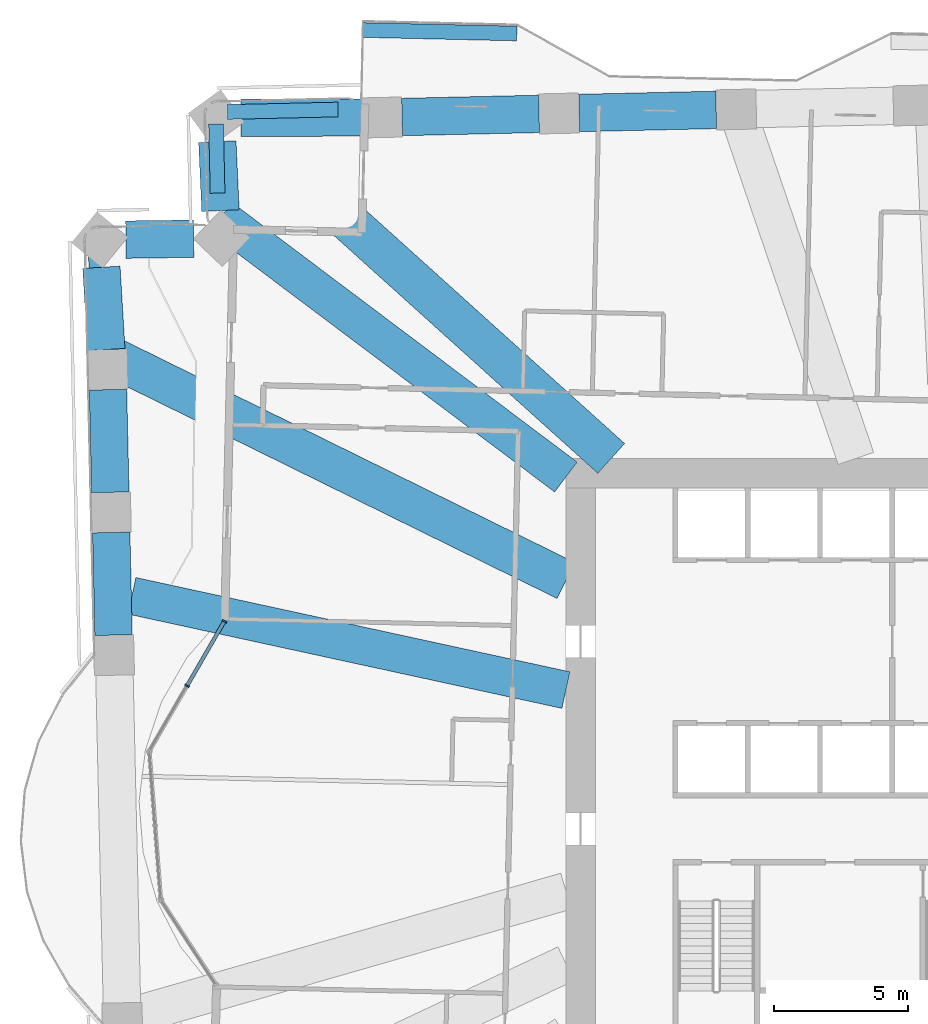
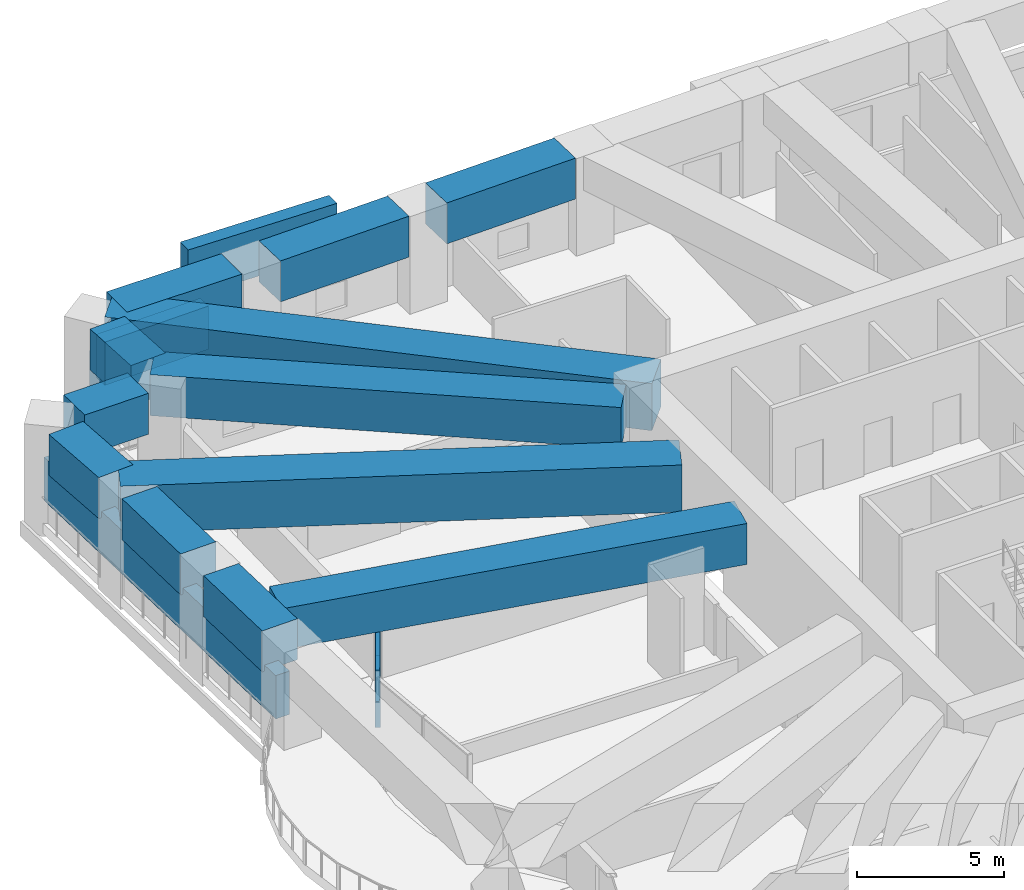
# One storey, part 4 of 20: 12 beams, 8 members, 1 element without a shape of its own.
"""IFC4 building model written with IfcOpenShell, lengths in metres."""

from ifc_helpers import new_model, si_unit, direction, frame, origin, origin_2d, place, context, subcontext, project, spatial, rectangle, extrude, material, material_profile, profile_set, type_object, element, aggregate, save


model = new_model("IFC4")

# Units and contexts
model_context = context("Model", 3, precision=1e-05, world=origin(), true_north=direction((0.0, 1.0)))
body_context = subcontext(model_context, "Body", "Model", "MODEL_VIEW")
ifc_project = project(units=[si_unit("LENGTHUNIT", "METRE"), si_unit("AREAUNIT", "SQUARE_METRE"), si_unit("VOLUMEUNIT", "CUBIC_METRE"), si_unit("PLANEANGLEUNIT", "RADIAN"), si_unit("MASSUNIT", "GRAM", prefix="KILO")], contexts=[model_context])

# Site, building, storey
site_placement = place(None, origin())
site = spatial("IfcSite", under=ifc_project, at=site_placement, CompositionType="ELEMENT")
building_placement = place(site_placement, origin())
building = spatial("IfcBuilding", under=site, at=building_placement, Name="Mangrove Gate Tower", CompositionType="ELEMENT")
storey_placement = place(building_placement, frame((0.0, 0.0, 52.10009765625)))
storey = spatial("IfcBuildingStorey", under=building, at=storey_placement, Name="L12", CompositionType="ELEMENT", Elevation=52.10009765625)

# Members
ifc_material_1 = material(Name="Planting on aluminium trellis", Category="aluminium")
ifc_material_profile_1 = material_profile(ifc_material_1, rectangle(XDim=0.550048828125, YDim=2.0, at=origin_2d()))
ifc_profile_set_1 = profile_set([ifc_material_profile_1], Name="Planting on aluminium trellis")
member_type_1 = type_object("IfcMemberType", Name="Balcony greenery screen 550x2000", PredefinedType="USERDEFINED", material=ifc_profile_set_1)
member_1_placement = place(storey_placement, frame((-22.5029296875, 27.9189453125, 1.7998046875), z_axis=(0.999746382879, -0.022520433404, 0.0), x_axis=(0.022520433404, 0.999746382879, 0.0)))
element("IfcMember", 1, at=member_1_placement, inside=storey, type_object=member_type_1, Name="GREEN SCREEN L12 N1.1", ObjectType="PLANTING", PredefinedType="USERDEFINED", context=body_context, shape_type="SweptSolid", body=[
    extrude(rectangle(XDim=0.550048828125, YDim=2.0, at=origin_2d()), origin(), (0.0, 0.0, 1.0), 5.767333984375),
])
ifc_material_2 = material(Name="Planting on aluminium trellis", Category="aluminium")
ifc_material_profile_2 = material_profile(ifc_material_2, rectangle(XDim=0.550048828125, YDim=1.800048828125, at=origin_2d()))
ifc_profile_set_2 = profile_set([ifc_material_profile_2], Name="Planting on aluminium trellis")
member_type_2 = type_object("IfcMemberType", Name="Roof greenery screen 550x1800", PredefinedType="USERDEFINED", material=ifc_profile_set_2)
member_2_placement = place(storey_placement, frame((-32.133056640625, 4.547119140625, 1.699951171875), z_axis=(-0.02268812008, 0.999742591474, 0.0), x_axis=(-0.999742591474, -0.02268812008, 0.0)))
element("IfcMember", 2, at=member_2_placement, inside=storey, type_object=member_type_2, Name="GREEN SCREEN L12 T2.1", ObjectType="PLANTING", PredefinedType="USERDEFINED", context=body_context, shape_type="SweptSolid", body=[
    extrude(rectangle(XDim=0.550048828125, YDim=1.800048828125, at=origin_2d()), origin(), (0.0, 0.0, 1.0), 15.161865234375),
])
member_3_placement = place(storey_placement, frame((-27.924072265625, 21.820068359375, 1.699951171875), z_axis=(-0.02272997504, 0.999741640743, 0.0), x_axis=(-0.999741640743, -0.02272997504, 0.0)))
element("IfcMember", 3, at=member_3_placement, inside=storey, type_object=member_type_2, Name="GREEN SCREEN L12 T3.1.6", ObjectType="PLANTING", PredefinedType="USERDEFINED", context=body_context, shape_type="SweptSolid", body=[
    extrude(rectangle(XDim=0.550048828125, YDim=1.800048828125, at=origin_2d()), origin(), (0.0, 0.0, 1.0), 2.588623046875),
])
member_4_placement = place(storey_placement, frame((-27.55810546875, 24.85302734375, 1.699951171875), z_axis=(0.99974150007, 0.02273616147, 0.0), x_axis=(-0.02273616147, 0.99974150007, 0.0)))
element("IfcMember", 4, at=member_4_placement, inside=storey, type_object=member_type_2, Name="GREEN SCREEN L12 T3.2.6", ObjectType="PLANTING", PredefinedType="USERDEFINED", context=body_context, shape_type="SweptSolid", body=[
    extrude(rectangle(XDim=0.550048828125, YDim=1.800048828125, at=origin_2d()), origin(), (0.0, 0.0, 1.0), 4.134033203125),
])

# Curtain wall, members
ifc_material_3 = material(Name="Aluminium and glass curtain wall", Category="aluminium")
curtain_wall_type = type_object("IfcCurtainWallType", Name="Sky-lounge glazing wall", PredefinedType="NOTDEFINED", material=ifc_material_3)
curtain_wall_placement = place(storey_placement, origin())
curtain_wall = element("IfcCurtainWall", 5, at=curtain_wall_placement, inside=storey, type_object=curtain_wall_type, Name="Sky-lounge glazing W9f1", PredefinedType="NOTDEFINED")
ifc_material_4 = material(Name="Aluminium alloy 6063-T6", Category="aluminium")
ifc_material_profile_3 = material_profile(ifc_material_4, rectangle(XDim=0.06005859375, YDim=0.179931640625, at=origin_2d()))
ifc_profile_set_3 = profile_set([ifc_material_profile_3], Name="Aluminium alloy 6063-T6")
member_type_3 = type_object("IfcMemberType", Name="Sky-lounge glazing mullion 60x180", PredefinedType="MULLION", material=ifc_profile_set_3)
member_5_placement = place(storey_placement, frame((-27.670654296875, 5.810302734375, 0.0), z_axis=(0.0, 0.0, 1.0), x_axis=(-0.500418160359, -0.865783844145, 0.0)))
member_5 = element("IfcMember", 6, at=member_5_placement, type_object=member_type_3, Name="CWK mullion 1", PredefinedType="MULLION", context=body_context, shape_type="SweptSolid", body=[
    extrude(rectangle(XDim=0.06005859375, YDim=0.179931640625, at=origin_2d()), origin(), (0.0, 0.0, 1.0), 2.349853515625),
])
member_6_placement = place(storey_placement, frame((-29.0673828125, 3.39404296875, 0.0), z_axis=(0.0, 0.0, 1.0), x_axis=(-0.500418160359, -0.865783844145, 0.0)))
member_6 = element("IfcMember", 7, at=member_6_placement, type_object=member_type_3, Name="CWK mullion 2", PredefinedType="MULLION", context=body_context, shape_type="SweptSolid", body=[
    extrude(rectangle(XDim=0.06005859375, YDim=0.179931640625, at=origin_2d()), origin(), (0.0, 0.0, 1.0), 2.349853515625),
])
ifc_material_5 = material(Name="Aluminium alloy 6063-T6", Category="aluminium")
ifc_material_profile_4 = material_profile(ifc_material_5, rectangle(XDim=0.06005859375, YDim=0.139892578125, at=origin_2d()))
ifc_profile_set_4 = profile_set([ifc_material_profile_4], Name="Aluminium alloy 6063-T6")
member_type_4 = type_object("IfcMemberType", Name="Sky-lounge glazing transom 60x140", PredefinedType="USERDEFINED", material=ifc_profile_set_4)
member_7_placement = place(storey_placement, frame((-27.685791015625, 5.784423828125, 1.0), z_axis=(-0.500398244711, -0.865795354972, 0.0), x_axis=(0.0, 0.0, 1.0)))
member_7 = element("IfcMember", 8, at=member_7_placement, type_object=member_type_4, Name="CWK transom 1.2", ObjectType="TRANSOM", PredefinedType="USERDEFINED", context=body_context, shape_type="SweptSolid", body=[
    extrude(rectangle(XDim=0.06005859375, YDim=0.139892578125, at=origin_2d()), origin(), (0.0, 0.0, 1.0), 2.730712890625),
])
member_8_placement = place(storey_placement, frame((-27.685791015625, 5.784423828125, 2.31982421875), z_axis=(-0.500398244711, -0.865795354972, 0.0), x_axis=(0.0, 0.0, 1.0)))
member_8 = element("IfcMember", 9, at=member_8_placement, type_object=member_type_4, Name="CWK transom 1.3", ObjectType="TRANSOM", PredefinedType="USERDEFINED", context=body_context, shape_type="SweptSolid", body=[
    extrude(rectangle(XDim=0.06005859375, YDim=0.139892578125, at=origin_2d()), origin(), (0.0, 0.0, 1.0), 2.730712890625),
])
aggregate(curtain_wall, [member_5, member_6, member_7, member_8])

# Beams
ifc_material_6 = material(Name="Concrete C70/85", Category="concrete")
ifc_material_profile_5 = material_profile(ifc_material_6, rectangle(XDim=1.39990234375, YDim=1.699951171875, at=origin_2d()))
ifc_profile_set_5 = profile_set([ifc_material_profile_5], Name="Concrete C70/85")
beam_type_1 = type_object("IfcBeamType", Name="Transfer girder RC 1400x1700 C70/85", PredefinedType="BEAM", material=ifc_profile_set_5)
beam_1_placement = place(storey_placement, frame((-9.27978515625, 24.93212890625, 3.199951171875), z_axis=(-0.999744043843, -0.022624031483, 0.0), x_axis=(0.022624031483, -0.999744043843, 0.0)))
element("IfcBeam", 10, at=beam_1_placement, inside=storey, type_object=beam_type_1, Name="Transfer ring girder L12 28", PredefinedType="BEAM", context=body_context, shape_type="SweptSolid", body=[
    extrude(rectangle(XDim=1.39990234375, YDim=1.699951171875, at=origin_2d()), origin(), (0.0, 0.0, 1.0), 5.125732421875),
])
beam_2_placement = place(storey_placement, frame((-15.90380859375, 24.7822265625, 3.199951171875), z_axis=(-0.999743921904, -0.022629419247, 0.0), x_axis=(0.022629419247, -0.999743921904, 0.0)))
element("IfcBeam", 11, at=beam_2_placement, inside=storey, type_object=beam_type_1, Name="Transfer ring girder L12 29", PredefinedType="BEAM", context=body_context, shape_type="SweptSolid", body=[
    extrude(rectangle(XDim=1.39990234375, YDim=1.699951171875, at=origin_2d()), origin(), (0.0, 0.0, 1.0), 5.12451171875),
])
beam_3_placement = place(storey_placement, frame((-22.527099609375, 24.6484375, 3.199951171875), z_axis=(-0.999999473633, -0.001026028189, 0.0), x_axis=(0.001026028189, -0.999999473633, 0.0)))
element("IfcBeam", 12, at=beam_3_placement, inside=storey, type_object=beam_type_1, Name="Transfer ring girder L12 30", PredefinedType="BEAM", context=body_context, shape_type="SweptSolid", body=[
    extrude(rectangle(XDim=1.39990234375, YDim=1.699951171875, at=origin_2d()), origin(), (0.0, 0.0, 1.0), 4.52099609375),
])
beam_4_placement = place(storey_placement, frame((-27.9345703125, 23.74462890625, 3.199951171875), z_axis=(0.045248783109, -0.998975749269, 0.0), x_axis=(0.998975749269, 0.045248783109, 0.0)))
element("IfcBeam", 13, at=beam_4_placement, inside=storey, type_object=beam_type_1, Name="Transfer ring girder L12 31", PredefinedType="BEAM", context=body_context, shape_type="SweptSolid", body=[
    extrude(rectangle(XDim=1.39990234375, YDim=1.699951171875, at=origin_2d()), origin(), (0.0, 0.0, 1.0), 2.5791015625),
])
beam_5_placement = place(storey_placement, frame((-28.822021484375, 20.1171875, 3.199951171875), z_axis=(-0.9999046958, -0.013805771121, 0.0), x_axis=(0.013805771121, -0.9999046958, 0.0)))
element("IfcBeam", 14, at=beam_5_placement, inside=storey, type_object=beam_type_1, Name="Transfer ring girder L12 32", PredefinedType="BEAM", context=body_context, shape_type="SweptSolid", body=[
    extrude(rectangle(XDim=1.39990234375, YDim=1.699951171875, at=origin_2d()), origin(), (0.0, 0.0, 1.0), 2.52880859375),
])
beam_6_placement = place(storey_placement, frame((-32.27099609375, 19.047119140625, 3.199951171875), z_axis=(0.060212796907, -0.998185563454, 0.0), x_axis=(0.998185563454, 0.060212796907, 0.0)))
element("IfcBeam", 15, at=beam_6_placement, inside=storey, type_object=beam_type_1, Name="Transfer ring girder L12 33", PredefinedType="BEAM", context=body_context, shape_type="SweptSolid", body=[
    extrude(rectangle(XDim=1.39990234375, YDim=1.699951171875, at=origin_2d()), origin(), (0.0, 0.0, 1.0), 3.08154296875),
])
for number, where, z_axis, x_axis, name in (
    (16, (-32.023193359375, 14.47216796875, 3.199951171875), (0.022626119694, -0.999743996585, 0.0), (0.999743996585, 0.022626119694, 0.0), "Transfer ring girder L12 34"),
    (17, (-31.902099609375, 9.132080078125, 3.199951171875), (0.022626119694, -0.999743996585, 0.0), (0.999743996585, 0.022626119694, 0.0), "Transfer ring girder L12 35"),
):
    element("IfcBeam", number, at=place(storey_placement, frame(where, z_axis=z_axis, x_axis=x_axis)), inside=storey, type_object=beam_type_1, Name=name, PredefinedType="BEAM", context=body_context, shape_type="SweptSolid", body=[
        extrude(rectangle(XDim=1.39990234375, YDim=1.699951171875, at=origin_2d()), origin(), (0.0, 0.0, 1.0), 3.84130859375),
    ])
beam_7_placement = place(storey_placement, frame((-14.89990234375, 11.204345703125, 3.199951171875), z_axis=(-0.799246433782, 0.601003442658, 0.0), x_axis=(-0.601003442658, -0.799246433782, 0.0)))
element("IfcBeam", 18, at=beam_7_placement, inside=storey, type_object=beam_type_1, Name="Transfer girder L12 31", PredefinedType="BEAM", context=body_context, shape_type="SweptSolid", body=[
    extrude(rectangle(XDim=1.39990234375, YDim=1.699951171875, at=origin_2d()), origin(), (0.0, 0.0, 1.0), 16.147705078125),
])
beam_8_placement = place(storey_placement, frame((-14.89990234375, 3.23681640625, 3.199951171875), z_axis=(-0.977209521297, 0.212277063025, 0.0), x_axis=(-0.212277063025, -0.977209521297, 0.0)))
element("IfcBeam", 19, at=beam_8_placement, inside=storey, type_object=beam_type_1, Name="Transfer girder L12 33", PredefinedType="BEAM", context=body_context, shape_type="SweptSolid", body=[
    extrude(rectangle(XDim=1.39990234375, YDim=1.699951171875, at=origin_2d()), origin(), (0.0, 0.0, 1.0), 16.607421875),
])
ifc_material_7 = material(Name="Concrete C70/85", Category="concrete")
ifc_material_profile_6 = material_profile(ifc_material_7, rectangle(XDim=1.5, YDim=1.949951171875, at=origin_2d()))
ifc_profile_set_6 = profile_set([ifc_material_profile_6], Name="Concrete C70/85")
beam_type_2 = type_object("IfcBeamType", Name="Transfer girder RC 1500x1950 C70/85", PredefinedType="BEAM", material=ifc_profile_set_6)
beam_9_placement = place(storey_placement, frame((-13.205322265625, 11.89990234375, 3.074951171875), z_axis=(-0.742864814994, 0.669441458713, 0.0), x_axis=(-0.669441458713, -0.742864814994, 0.0)))
element("IfcBeam", 20, at=beam_9_placement, inside=storey, type_object=beam_type_2, Name="Transfer girder L12 30", PredefinedType="BEAM", context=body_context, shape_type="SweptSolid", body=[
    extrude(rectangle(XDim=1.5, YDim=1.949951171875, at=origin_2d()), origin(), (0.0, 0.0, 1.0), 19.0361328125),
])
beam_10_placement = place(storey_placement, frame((-14.89990234375, 7.3359375, 3.074951171875), z_axis=(-0.897154814877, 0.441716241657, 0.0), x_axis=(-0.441716241657, -0.897154814877, 0.0)))
element("IfcBeam", 21, at=beam_10_placement, inside=storey, type_object=beam_type_2, Name="Transfer girder L12 32", PredefinedType="BEAM", context=body_context, shape_type="SweptSolid", body=[
    extrude(rectangle(XDim=1.5, YDim=1.949951171875, at=origin_2d()), origin(), (0.0, 0.0, 1.0), 19.1435546875),
])

save(model, "model.ifc")
